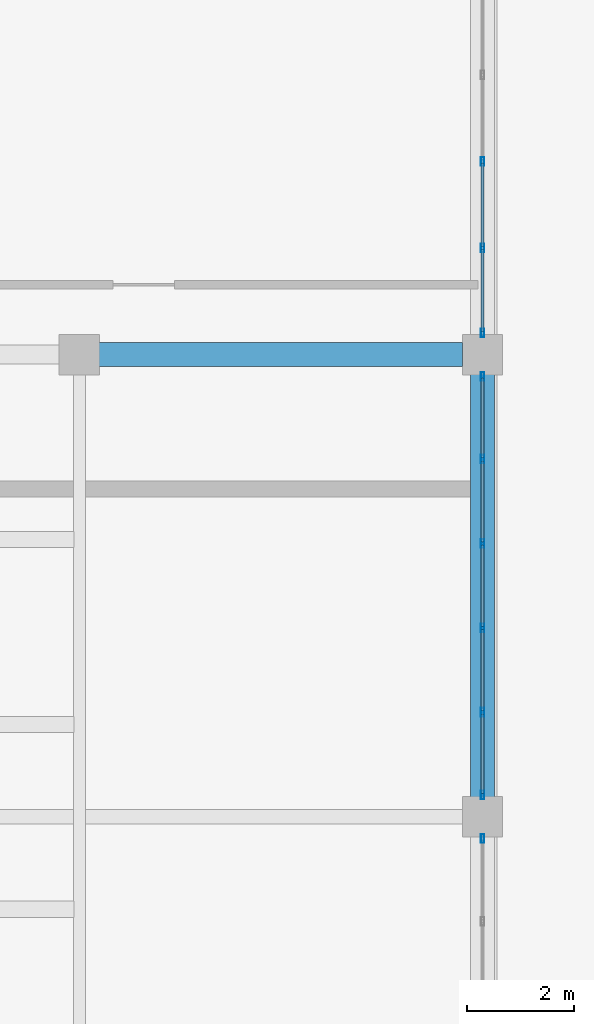
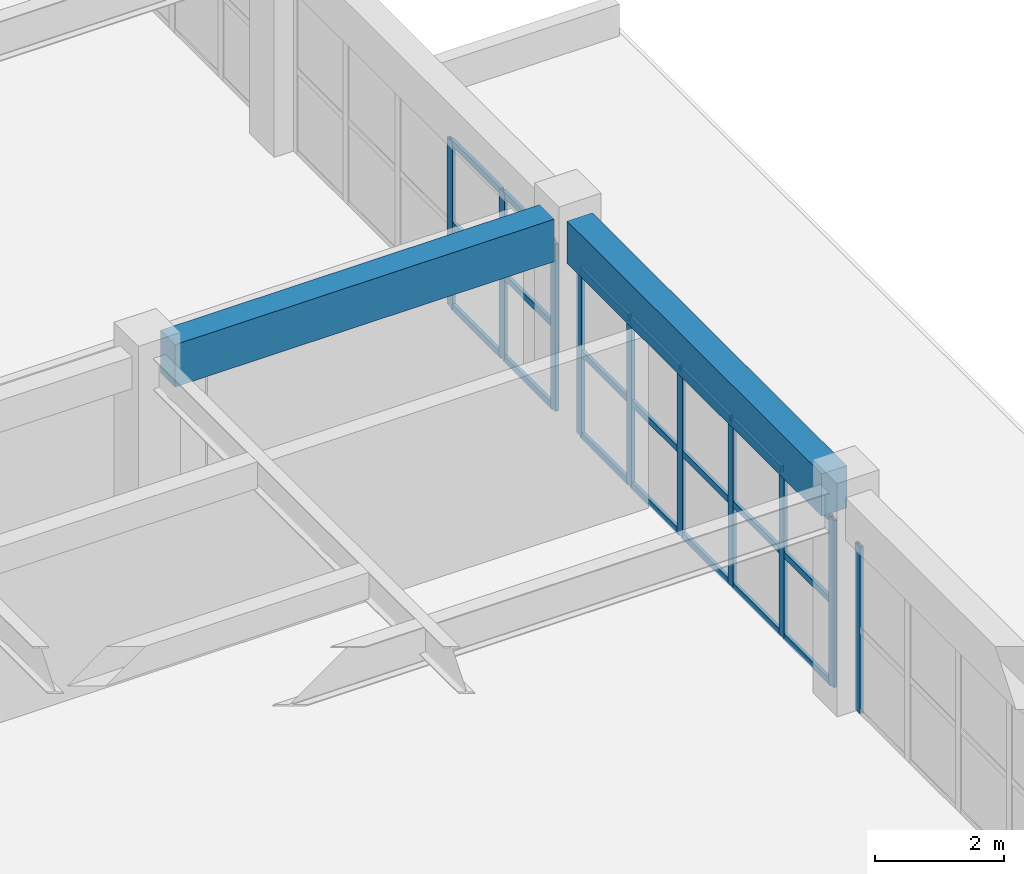
# One storey, part 48 of 90: 31 members, 2 beams, 3 elements without a shape of their own.
"""IFC4 building model written with IfcOpenShell, lengths in metres."""

from ifc_helpers import new_model, si_unit, direction, frame, origin, origin_2d, place, context, subcontext, project, spatial, rectangle, hollow_rectangle, extrude, material, layer, layer_set, material_profile, profile_set, type_object, element, aggregate, save


model = new_model("IFC4")

# Units and contexts
model_context = context("Model", 3, precision=1e-05, world=origin(), true_north=direction((0.0, 1.0)))
body_context = subcontext(model_context, "Body", "Model", "MODEL_VIEW")
ifc_project = project(units=[si_unit("LENGTHUNIT", "METRE"), si_unit("AREAUNIT", "SQUARE_METRE"), si_unit("VOLUMEUNIT", "CUBIC_METRE"), si_unit("PLANEANGLEUNIT", "RADIAN"), si_unit("MASSUNIT", "GRAM", prefix="KILO")], contexts=[model_context])

# Site, building, storey
site_placement = place(None, origin())
site = spatial("IfcSite", under=ifc_project, at=site_placement, CompositionType="ELEMENT")
building_placement = place(site_placement, origin())
building = spatial("IfcBuilding", under=site, at=building_placement, Name="Muzn Square Opera House", CompositionType="ELEMENT")
storey_placement = place(building_placement, frame((0.0, 0.0, 9.800048828125)))
storey = spatial("IfcBuildingStorey", under=building, at=storey_placement, Name="L02", CompositionType="ELEMENT", Elevation=9.800048828125)

# Curtain wall, member
ifc_material_1 = material(Name="Low-E laminated acoustic double glazing", Category="glass")
ifc_layer_1 = layer(ifc_material_1, 0.159912109375, Name="Low-E laminated acoustic double glazing", Category="glass")
ifc_layer_set_1 = layer_set([ifc_layer_1], Name="Low-E laminated acoustic double glazing")
curtain_wall_type_1 = type_object("IfcCurtainWallType", Name="Glazed Curtain Wall RehearsalEast 7850x3150", PredefinedType="USERDEFINED", material=ifc_layer_set_1)
curtain_wall_1_placement = place(storey_placement, origin())
curtain_wall_1 = element("IfcCurtainWall", 1, at=curtain_wall_1_placement, inside=storey, type_object=curtain_wall_type_1, Name="Glazed Curtain Wall CW-L02-122", ObjectType="GLAZED CURTAIN WALL", PredefinedType="USERDEFINED")
ifc_material_2 = material(Name="Anodised bronze aluminium 6063-T6", Category="metal")
ifc_material_profile_1 = material_profile(ifc_material_2, hollow_rectangle(XDim=0.06005859375, YDim=0.159912109375, WallThickness=0.00390625, at=origin_2d()), Name="ALU 160x60x4", Category="metal")
ifc_profile_set_1 = profile_set([ifc_material_profile_1], Name="Anodised bronze aluminium 6063-T6")
member_type_1 = type_object("IfcMemberType", Name="Curtain Wall Mullion 160x60", PredefinedType="MULLION", material=ifc_profile_set_1)
member_1_placement = place(storey_placement, frame((170.0, 80.794921875, 0.0), z_axis=(0.0, 0.0, 1.0), x_axis=(-1.0, 0.0, 0.0)))
member_1 = element("IfcMember", 2, at=member_1_placement, type_object=member_type_1, Name="CW-RHE-78x31 mullion 6", PredefinedType="MULLION", context=body_context, shape_type="SweptSolid", body=[
    extrude(hollow_rectangle(XDim=0.06005859375, YDim=0.159912109375, WallThickness=0.00390625, at=origin_2d()), origin(), (0.0, 0.0, 1.0), 3.14990234375),
])
aggregate(curtain_wall_1, [member_1])

# Curtain wall, members
curtain_wall_2_placement = place(storey_placement, origin())
curtain_wall_2 = element("IfcCurtainWall", 3, at=curtain_wall_2_placement, inside=storey, type_object=curtain_wall_type_1, Name="Glazed Curtain Wall CW-L02-123", ObjectType="GLAZED CURTAIN WALL", PredefinedType="USERDEFINED")
member_2_placement = place(storey_placement, frame((170.0, 81.60498046875, 0.0), z_axis=(0.0, 0.0, 1.0), x_axis=(-1.0, 0.0, 0.0)))
member_2 = element("IfcMember", 4, at=member_2_placement, type_object=member_type_1, Name="CW-RHE-78x31 mullion 1", PredefinedType="MULLION", context=body_context, shape_type="SweptSolid", body=[
    extrude(hollow_rectangle(XDim=0.06005859375, YDim=0.159912109375, WallThickness=0.00390625, at=origin_2d()), origin(), (0.0, 0.0, 1.0), 3.14990234375),
])
member_3_placement = place(storey_placement, frame((170.0, 83.14501953125, 0.0), z_axis=(0.0, 0.0, 1.0), x_axis=(-1.0, 0.0, 0.0)))
member_3 = element("IfcMember", 5, at=member_3_placement, type_object=member_type_1, Name="CW-RHE-78x31 mullion 2", PredefinedType="MULLION", context=body_context, shape_type="SweptSolid", body=[
    extrude(hollow_rectangle(XDim=0.06005859375, YDim=0.159912109375, WallThickness=0.00390625, at=origin_2d()), origin(), (0.0, 0.0, 1.0), 3.14990234375),
])
member_4_placement = place(storey_placement, frame((170.0, 84.715087890625, 0.0), z_axis=(0.0, 0.0, 1.0), x_axis=(-1.0, 0.0, 0.0)))
member_4 = element("IfcMember", 6, at=member_4_placement, type_object=member_type_1, Name="CW-RHE-78x31 mullion 3", PredefinedType="MULLION", context=body_context, shape_type="SweptSolid", body=[
    extrude(hollow_rectangle(XDim=0.06005859375, YDim=0.159912109375, WallThickness=0.00390625, at=origin_2d()), origin(), (0.0, 0.0, 1.0), 3.14990234375),
])
member_5_placement = place(storey_placement, frame((170.0, 86.284912109375, 0.0), z_axis=(0.0, 0.0, 1.0), x_axis=(-1.0, 0.0, 0.0)))
member_5 = element("IfcMember", 7, at=member_5_placement, type_object=member_type_1, Name="CW-RHE-78x31 mullion 4", PredefinedType="MULLION", context=body_context, shape_type="SweptSolid", body=[
    extrude(hollow_rectangle(XDim=0.06005859375, YDim=0.159912109375, WallThickness=0.00390625, at=origin_2d()), origin(), (0.0, 0.0, 1.0), 3.14990234375),
])
member_6_placement = place(storey_placement, frame((170.0, 87.85498046875, 0.0), z_axis=(0.0, 0.0, 1.0), x_axis=(-1.0, 0.0, 0.0)))
member_6 = element("IfcMember", 8, at=member_6_placement, type_object=member_type_1, Name="CW-RHE-78x31 mullion 5", PredefinedType="MULLION", context=body_context, shape_type="SweptSolid", body=[
    extrude(hollow_rectangle(XDim=0.06005859375, YDim=0.159912109375, WallThickness=0.00390625, at=origin_2d()), origin(), (0.0, 0.0, 1.0), 3.14990234375),
])
member_7_placement = place(storey_placement, frame((170.0, 89.39501953125, 0.0), z_axis=(0.0, 0.0, 1.0), x_axis=(-1.0, 0.0, 0.0)))
member_7 = element("IfcMember", 9, at=member_7_placement, type_object=member_type_1, Name="CW-RHE-78x31 mullion 6", PredefinedType="MULLION", context=body_context, shape_type="SweptSolid", body=[
    extrude(hollow_rectangle(XDim=0.06005859375, YDim=0.159912109375, WallThickness=0.00390625, at=origin_2d()), origin(), (0.0, 0.0, 1.0), 3.14990234375),
])

ifc_layer_2 = layer(ifc_material_1, 0.159912109375, Name="Low-E laminated acoustic double glazing", Category="glass")
ifc_layer_set_2 = layer_set([ifc_layer_2], Name="Low-E laminated acoustic double glazing")
curtain_wall_type_2 = type_object("IfcCurtainWallType", Name="Glazed Curtain Wall RehearsalEast 8050x3150", PredefinedType="USERDEFINED", material=ifc_layer_set_2)
curtain_wall_3_placement = place(storey_placement, origin())
curtain_wall_3 = element("IfcCurtainWall", 10, at=curtain_wall_3_placement, inside=storey, type_object=curtain_wall_type_2, Name="Glazed Curtain Wall CW-L02-124", ObjectType="GLAZED CURTAIN WALL", PredefinedType="USERDEFINED")
member_8_placement = place(storey_placement, frame((170.0, 90.205078125, 0.0), z_axis=(0.0, 0.0, 1.0), x_axis=(-1.0, 0.0, 0.0)))
member_8 = element("IfcMember", 11, at=member_8_placement, type_object=member_type_1, Name="CW-RHE-80x31 mullion 1", PredefinedType="MULLION", context=body_context, shape_type="SweptSolid", body=[
    extrude(hollow_rectangle(XDim=0.06005859375, YDim=0.159912109375, WallThickness=0.00390625, at=origin_2d()), origin(), (0.0, 0.0, 1.0), 3.14990234375),
])
member_9_placement = place(storey_placement, frame((170.0, 91.784912109375, 0.0), z_axis=(0.0, 0.0, 1.0), x_axis=(-1.0, 0.0, 0.0)))
member_9 = element("IfcMember", 12, at=member_9_placement, type_object=member_type_1, Name="CW-RHE-80x31 mullion 2", PredefinedType="MULLION", context=body_context, shape_type="SweptSolid", body=[
    extrude(hollow_rectangle(XDim=0.06005859375, YDim=0.159912109375, WallThickness=0.00390625, at=origin_2d()), origin(), (0.0, 0.0, 1.0), 3.14990234375),
])
member_10_placement = place(storey_placement, frame((170.0, 93.39501953125, 0.0), z_axis=(0.0, 0.0, 1.0), x_axis=(-1.0, 0.0, 0.0)))
member_10 = element("IfcMember", 13, at=member_10_placement, type_object=member_type_1, Name="CW-RHE-80x31 mullion 3", PredefinedType="MULLION", context=body_context, shape_type="SweptSolid", body=[
    extrude(hollow_rectangle(XDim=0.06005859375, YDim=0.159912109375, WallThickness=0.00390625, at=origin_2d()), origin(), (0.0, 0.0, 1.0), 3.14990234375),
])

# Member
ifc_material_profile_2 = material_profile(ifc_material_2, hollow_rectangle(XDim=0.06005859375, YDim=0.1201171875, WallThickness=0.00390625, at=origin_2d()), Name="ALU 120x60x4", Category="metal")
ifc_profile_set_2 = profile_set([ifc_material_profile_2], Name="Anodised bronze aluminium 6063-T6")
member_type_2 = type_object("IfcMemberType", Name="Curtain Wall Transom 120x60", PredefinedType="USERDEFINED", material=ifc_profile_set_2)
member_11_placement = place(storey_placement, frame((170.0, 81.635009765625, 0.030029296875), z_axis=(0.0, 1.0, 0.0), x_axis=(-1.0, 0.0, 0.0)))
member_11 = element("IfcMember", 14, at=member_11_placement, type_object=member_type_2, Name="CW-RHE-78x31 transom 1.1", ObjectType="TRANSOM", PredefinedType="USERDEFINED", context=body_context, shape_type="SweptSolid", body=[
    extrude(hollow_rectangle(XDim=0.06005859375, YDim=0.1201171875, WallThickness=0.00390625, at=origin_2d()), origin(), (0.0, 0.0, 1.0), 1.47998046875),
])

member_12_placement = place(storey_placement, frame((170.0, 81.635009765625, 1.574951171875), z_axis=(0.0, 1.0, 0.0), x_axis=(-1.0, 0.0, 0.0)))
member_12 = element("IfcMember", 15, at=member_12_placement, type_object=member_type_2, Name="CW-RHE-78x31 transom 1.2", ObjectType="TRANSOM", PredefinedType="USERDEFINED", context=body_context, shape_type="SweptSolid", body=[
    extrude(hollow_rectangle(XDim=0.06005859375, YDim=0.1201171875, WallThickness=0.00390625, at=origin_2d()), origin(), (0.0, 0.0, 1.0), 1.47998046875),
])

member_13_placement = place(storey_placement, frame((170.0, 81.635009765625, 3.119873046875), z_axis=(0.0, 1.0, 0.0), x_axis=(-1.0, 0.0, 0.0)))
member_13 = element("IfcMember", 16, at=member_13_placement, type_object=member_type_2, Name="CW-RHE-78x31 transom 1.3", ObjectType="TRANSOM", PredefinedType="USERDEFINED", context=body_context, shape_type="SweptSolid", body=[
    extrude(hollow_rectangle(XDim=0.06005859375, YDim=0.1201171875, WallThickness=0.00390625, at=origin_2d()), origin(), (0.0, 0.0, 1.0), 1.47998046875),
])

member_14_placement = place(storey_placement, frame((170.0, 83.175048828125, 0.030029296875), z_axis=(0.0, 1.0, 0.0), x_axis=(-1.0, 0.0, 0.0)))
member_14 = element("IfcMember", 17, at=member_14_placement, type_object=member_type_2, Name="CW-RHE-78x31 transom 2.1", ObjectType="TRANSOM", PredefinedType="USERDEFINED", context=body_context, shape_type="SweptSolid", body=[
    extrude(hollow_rectangle(XDim=0.06005859375, YDim=0.1201171875, WallThickness=0.00390625, at=origin_2d()), origin(), (0.0, 0.0, 1.0), 1.510009765625),
])

member_15_placement = place(storey_placement, frame((170.0, 83.175048828125, 1.574951171875), z_axis=(0.0, 1.0, 0.0), x_axis=(-1.0, 0.0, 0.0)))
member_15 = element("IfcMember", 18, at=member_15_placement, type_object=member_type_2, Name="CW-RHE-78x31 transom 2.2", ObjectType="TRANSOM", PredefinedType="USERDEFINED", context=body_context, shape_type="SweptSolid", body=[
    extrude(hollow_rectangle(XDim=0.06005859375, YDim=0.1201171875, WallThickness=0.00390625, at=origin_2d()), origin(), (0.0, 0.0, 1.0), 1.510009765625),
])

member_16_placement = place(storey_placement, frame((170.0, 83.175048828125, 3.119873046875), z_axis=(0.0, 1.0, 0.0), x_axis=(-1.0, 0.0, 0.0)))
member_16 = element("IfcMember", 19, at=member_16_placement, type_object=member_type_2, Name="CW-RHE-78x31 transom 2.3", ObjectType="TRANSOM", PredefinedType="USERDEFINED", context=body_context, shape_type="SweptSolid", body=[
    extrude(hollow_rectangle(XDim=0.06005859375, YDim=0.1201171875, WallThickness=0.00390625, at=origin_2d()), origin(), (0.0, 0.0, 1.0), 1.510009765625),
])

member_17_placement = place(storey_placement, frame((170.0, 84.7451171875, 0.030029296875), z_axis=(0.0, 1.0, 0.0), x_axis=(-1.0, 0.0, 0.0)))
member_17 = element("IfcMember", 20, at=member_17_placement, type_object=member_type_2, Name="CW-RHE-78x31 transom 3.1", ObjectType="TRANSOM", PredefinedType="USERDEFINED", context=body_context, shape_type="SweptSolid", body=[
    extrude(hollow_rectangle(XDim=0.06005859375, YDim=0.1201171875, WallThickness=0.00390625, at=origin_2d()), origin(), (0.0, 0.0, 1.0), 1.509765625),
])

member_18_placement = place(storey_placement, frame((170.0, 84.7451171875, 1.574951171875), z_axis=(0.0, 1.0, 0.0), x_axis=(-1.0, 0.0, 0.0)))
member_18 = element("IfcMember", 21, at=member_18_placement, type_object=member_type_2, Name="CW-RHE-78x31 transom 3.2", ObjectType="TRANSOM", PredefinedType="USERDEFINED", context=body_context, shape_type="SweptSolid", body=[
    extrude(hollow_rectangle(XDim=0.06005859375, YDim=0.1201171875, WallThickness=0.00390625, at=origin_2d()), origin(), (0.0, 0.0, 1.0), 1.509765625),
])

member_19_placement = place(storey_placement, frame((170.0, 84.7451171875, 3.119873046875), z_axis=(0.0, 1.0, 0.0), x_axis=(-1.0, 0.0, 0.0)))
member_19 = element("IfcMember", 22, at=member_19_placement, type_object=member_type_2, Name="CW-RHE-78x31 transom 3.3", ObjectType="TRANSOM", PredefinedType="USERDEFINED", context=body_context, shape_type="SweptSolid", body=[
    extrude(hollow_rectangle(XDim=0.06005859375, YDim=0.1201171875, WallThickness=0.00390625, at=origin_2d()), origin(), (0.0, 0.0, 1.0), 1.509765625),
])

member_20_placement = place(storey_placement, frame((170.0, 86.31494140625, 0.030029296875), z_axis=(0.0, 1.0, 0.0), x_axis=(-1.0, 0.0, 0.0)))
member_20 = element("IfcMember", 23, at=member_20_placement, type_object=member_type_2, Name="CW-RHE-78x31 transom 4.1", ObjectType="TRANSOM", PredefinedType="USERDEFINED", context=body_context, shape_type="SweptSolid", body=[
    extrude(hollow_rectangle(XDim=0.06005859375, YDim=0.1201171875, WallThickness=0.00390625, at=origin_2d()), origin(), (0.0, 0.0, 1.0), 1.510009765625),
])

member_21_placement = place(storey_placement, frame((170.0, 86.31494140625, 1.574951171875), z_axis=(0.0, 1.0, 0.0), x_axis=(-1.0, 0.0, 0.0)))
member_21 = element("IfcMember", 24, at=member_21_placement, type_object=member_type_2, Name="CW-RHE-78x31 transom 4.2", ObjectType="TRANSOM", PredefinedType="USERDEFINED", context=body_context, shape_type="SweptSolid", body=[
    extrude(hollow_rectangle(XDim=0.06005859375, YDim=0.1201171875, WallThickness=0.00390625, at=origin_2d()), origin(), (0.0, 0.0, 1.0), 1.510009765625),
])

member_22_placement = place(storey_placement, frame((170.0, 86.31494140625, 3.119873046875), z_axis=(0.0, 1.0, 0.0), x_axis=(-1.0, 0.0, 0.0)))
member_22 = element("IfcMember", 25, at=member_22_placement, type_object=member_type_2, Name="CW-RHE-78x31 transom 4.3", ObjectType="TRANSOM", PredefinedType="USERDEFINED", context=body_context, shape_type="SweptSolid", body=[
    extrude(hollow_rectangle(XDim=0.06005859375, YDim=0.1201171875, WallThickness=0.00390625, at=origin_2d()), origin(), (0.0, 0.0, 1.0), 1.510009765625),
])

member_23_placement = place(storey_placement, frame((170.0, 87.885009765625, 0.030029296875), z_axis=(0.0, 1.0, 0.0), x_axis=(-1.0, 0.0, 0.0)))
member_23 = element("IfcMember", 26, at=member_23_placement, type_object=member_type_2, Name="CW-RHE-78x31 transom 5.1", ObjectType="TRANSOM", PredefinedType="USERDEFINED", context=body_context, shape_type="SweptSolid", body=[
    extrude(hollow_rectangle(XDim=0.06005859375, YDim=0.1201171875, WallThickness=0.00390625, at=origin_2d()), origin(), (0.0, 0.0, 1.0), 1.47998046875),
])

member_24_placement = place(storey_placement, frame((170.0, 87.885009765625, 1.574951171875), z_axis=(0.0, 1.0, 0.0), x_axis=(-1.0, 0.0, 0.0)))
member_24 = element("IfcMember", 27, at=member_24_placement, type_object=member_type_2, Name="CW-RHE-78x31 transom 5.2", ObjectType="TRANSOM", PredefinedType="USERDEFINED", context=body_context, shape_type="SweptSolid", body=[
    extrude(hollow_rectangle(XDim=0.06005859375, YDim=0.1201171875, WallThickness=0.00390625, at=origin_2d()), origin(), (0.0, 0.0, 1.0), 1.47998046875),
])

member_25_placement = place(storey_placement, frame((170.0, 87.885009765625, 3.119873046875), z_axis=(0.0, 1.0, 0.0), x_axis=(-1.0, 0.0, 0.0)))
member_25 = element("IfcMember", 28, at=member_25_placement, type_object=member_type_2, Name="CW-RHE-78x31 transom 5.3", ObjectType="TRANSOM", PredefinedType="USERDEFINED", context=body_context, shape_type="SweptSolid", body=[
    extrude(hollow_rectangle(XDim=0.06005859375, YDim=0.1201171875, WallThickness=0.00390625, at=origin_2d()), origin(), (0.0, 0.0, 1.0), 1.47998046875),
])

aggregate(curtain_wall_2, [member_2, member_3, member_4, member_5, member_6, member_7, member_11, member_12, member_13, member_14, member_15, member_16, member_17, member_18, member_19, member_20, member_21, member_22, member_23, member_24, member_25])

member_26_placement = place(storey_placement, frame((170.0, 90.235107421875, 0.030029296875), z_axis=(0.0, 1.0, 0.0), x_axis=(-1.0, 0.0, 0.0)))
member_26 = element("IfcMember", 29, at=member_26_placement, type_object=member_type_2, Name="CW-RHE-80x31 transom 1.1", ObjectType="TRANSOM", PredefinedType="USERDEFINED", context=body_context, shape_type="SweptSolid", body=[
    extrude(hollow_rectangle(XDim=0.06005859375, YDim=0.1201171875, WallThickness=0.00390625, at=origin_2d()), origin(), (0.0, 0.0, 1.0), 1.519775390625),
])

member_27_placement = place(storey_placement, frame((170.0, 90.235107421875, 1.574951171875), z_axis=(0.0, 1.0, 0.0), x_axis=(-1.0, 0.0, 0.0)))
member_27 = element("IfcMember", 30, at=member_27_placement, type_object=member_type_2, Name="CW-RHE-80x31 transom 1.2", ObjectType="TRANSOM", PredefinedType="USERDEFINED", context=body_context, shape_type="SweptSolid", body=[
    extrude(hollow_rectangle(XDim=0.06005859375, YDim=0.1201171875, WallThickness=0.00390625, at=origin_2d()), origin(), (0.0, 0.0, 1.0), 1.519775390625),
])

member_28_placement = place(storey_placement, frame((170.0, 90.235107421875, 3.119873046875), z_axis=(0.0, 1.0, 0.0), x_axis=(-1.0, 0.0, 0.0)))
member_28 = element("IfcMember", 31, at=member_28_placement, type_object=member_type_2, Name="CW-RHE-80x31 transom 1.3", ObjectType="TRANSOM", PredefinedType="USERDEFINED", context=body_context, shape_type="SweptSolid", body=[
    extrude(hollow_rectangle(XDim=0.06005859375, YDim=0.1201171875, WallThickness=0.00390625, at=origin_2d()), origin(), (0.0, 0.0, 1.0), 1.519775390625),
])

member_29_placement = place(storey_placement, frame((170.0, 91.81494140625, 0.030029296875), z_axis=(0.0, 1.0, 0.0), x_axis=(-1.0, 0.0, 0.0)))
member_29 = element("IfcMember", 32, at=member_29_placement, type_object=member_type_2, Name="CW-RHE-80x31 transom 2.1", ObjectType="TRANSOM", PredefinedType="USERDEFINED", context=body_context, shape_type="SweptSolid", body=[
    extrude(hollow_rectangle(XDim=0.06005859375, YDim=0.1201171875, WallThickness=0.00390625, at=origin_2d()), origin(), (0.0, 0.0, 1.0), 1.550048828125),
])

member_30_placement = place(storey_placement, frame((170.0, 91.81494140625, 1.574951171875), z_axis=(0.0, 1.0, 0.0), x_axis=(-1.0, 0.0, 0.0)))
member_30 = element("IfcMember", 33, at=member_30_placement, type_object=member_type_2, Name="CW-RHE-80x31 transom 2.2", ObjectType="TRANSOM", PredefinedType="USERDEFINED", context=body_context, shape_type="SweptSolid", body=[
    extrude(hollow_rectangle(XDim=0.06005859375, YDim=0.1201171875, WallThickness=0.00390625, at=origin_2d()), origin(), (0.0, 0.0, 1.0), 1.550048828125),
])

member_31_placement = place(storey_placement, frame((170.0, 91.81494140625, 3.119873046875), z_axis=(0.0, 1.0, 0.0), x_axis=(-1.0, 0.0, 0.0)))
member_31 = element("IfcMember", 34, at=member_31_placement, type_object=member_type_2, Name="CW-RHE-80x31 transom 2.3", ObjectType="TRANSOM", PredefinedType="USERDEFINED", context=body_context, shape_type="SweptSolid", body=[
    extrude(hollow_rectangle(XDim=0.06005859375, YDim=0.1201171875, WallThickness=0.00390625, at=origin_2d()), origin(), (0.0, 0.0, 1.0), 1.550048828125),
])

aggregate(curtain_wall_3, [member_8, member_9, member_10, member_26, member_27, member_28, member_29, member_30, member_31])

# Beams
ifc_material_3 = material(Name="Concrete C40/50", Category="concrete")
ifc_material_profile_3 = material_profile(ifc_material_3, rectangle(XDim=0.449951171875, YDim=0.800048828125, at=origin_2d()), Name="RCB 450x800", Category="concrete")
ifc_profile_set_3 = profile_set([ifc_material_profile_3], Name="Concrete C40/50")
beam_type = type_object("IfcBeamType", Name="Primary Girder 450x800", PredefinedType="BEAM", material=ifc_profile_set_3)
beam_1_placement = place(storey_placement, frame((162.866943359375, 89.800048828125, 3.679931640625), z_axis=(1.0, 0.0, 0.0), x_axis=(0.0, 1.0, 0.0)))
element("IfcBeam", 35, at=beam_1_placement, inside=storey, type_object=beam_type, Name="Primary Girder BM-L02-BM-PG800-1629_898_1696_898-2089", PredefinedType="BEAM", context=body_context, shape_type="SweptSolid", body=[
    extrude(rectangle(XDim=0.449951171875, YDim=0.800048828125, at=origin_2d()), origin(), (0.0, 0.0, 1.0), 6.76611328125),
])
beam_2_placement = place(storey_placement, frame((170.0, 81.56689453125, 3.679931640625), z_axis=(0.0, 1.0, 0.0), x_axis=(-1.0, 0.0, 0.0)))
element("IfcBeam", 36, at=beam_2_placement, inside=storey, type_object=beam_type, Name="Primary Girder BM-L02-BM-PG800-1700_816_1700_894-2292", PredefinedType="BEAM", context=body_context, shape_type="SweptSolid", body=[
    extrude(rectangle(XDim=0.449951171875, YDim=0.800048828125, at=origin_2d()), origin(), (0.0, 0.0, 1.0), 7.8662109375),
])

save(model, "model.ifc")
